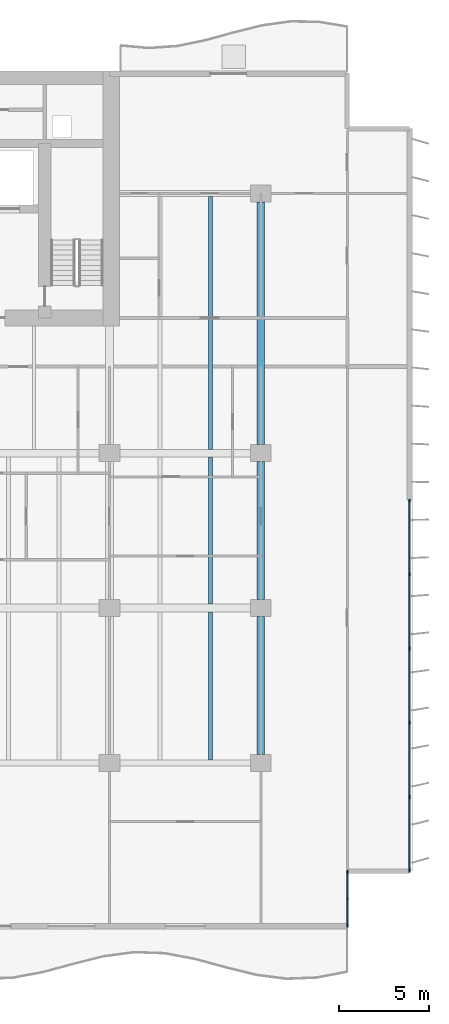
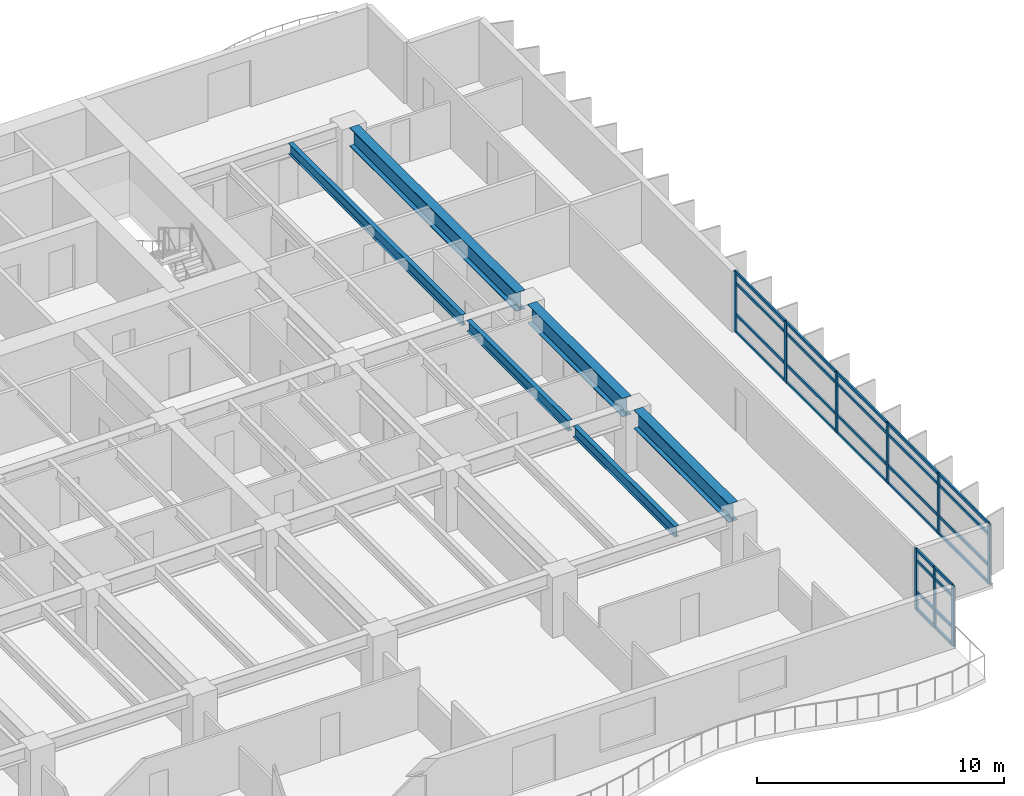
# One storey, part 4 of 15: 37 members, 6 beams, 2 elements without a shape of their own.
"""IFC4 building model written with IfcOpenShell, lengths in metres."""

from ifc_helpers import new_model, si_unit, direction, frame, origin, origin_2d, place, context, subcontext, project, spatial, rectangle, i_section, extrude, material, layer, layer_set, material_profile, profile_set, type_object, element, aggregate, save


model = new_model("IFC4")

# Units and contexts
model_context = context("Model", 3, precision=1e-05, world=origin(), true_north=direction((0.0, 1.0)))
body_context = subcontext(model_context, "Body", "Model", "MODEL_VIEW")
ifc_project = project(units=[si_unit("LENGTHUNIT", "METRE"), si_unit("AREAUNIT", "SQUARE_METRE"), si_unit("VOLUMEUNIT", "CUBIC_METRE"), si_unit("PLANEANGLEUNIT", "RADIAN"), si_unit("MASSUNIT", "GRAM", prefix="KILO")], contexts=[model_context])

# Site, building, storey
site_placement = place(None, origin())
site = spatial("IfcSite", under=ifc_project, at=site_placement, CompositionType="ELEMENT")
building_placement = place(site_placement, origin())
building = spatial("IfcBuilding", under=site, at=building_placement, Name="Caelmar Bay Residences", CompositionType="ELEMENT")
storey_placement = place(building_placement, frame((0.0, 0.0, 76.199951171875)))
storey = spatial("IfcBuildingStorey", under=building, at=storey_placement, Name="L20", CompositionType="ELEMENT", Elevation=76.199951171875)

# Beams
ifc_material_1 = material(Name="Steel ASTM A992 Grade 50", Category="steel")
ifc_material_profile_1 = material_profile(ifc_material_1, i_section(OverallWidth=0.422119140625, OverallDepth=0.925048828125, WebThickness=0.021240234375, FlangeThickness=0.03662109375, FilletRadius=0.020263671875, at=origin_2d()), Name="W36X262")
ifc_profile_set_1 = profile_set([ifc_material_profile_1], Name="Steel ASTM A992 Grade 50")
beam_type_1 = type_object("IfcBeamType", Name="BM-GRD-W36X262", PredefinedType="BEAM", material=ifc_profile_set_1)
beam_1_placement = place(storey_placement, frame((67.89990234375, 12.6650390625, 2.53759765625), z_axis=(0.0, 1.0, 0.0), x_axis=(-1.0, 0.0, 0.0)))
element("IfcBeam", 1, at=beam_1_placement, inside=storey, type_object=beam_type_1, Name="L20 North-South Girder X=67.90 (12.2-20.8)", PredefinedType="BEAM", context=body_context, shape_type="SweptSolid", body=[
    extrude(i_section(OverallWidth=0.422119140625, OverallDepth=0.925048828125, WebThickness=0.021240234375, FlangeThickness=0.03662109375, FilletRadius=0.020263671875, at=origin_2d()), origin(), (0.0, 0.0, 1.0), 7.669921875),
])
beam_2_placement = place(storey_placement, frame((67.89990234375, 21.264892578125, 2.53759765625), z_axis=(0.0, 1.0, 0.0), x_axis=(-1.0, 0.0, 0.0)))
element("IfcBeam", 2, at=beam_2_placement, inside=storey, type_object=beam_type_1, Name="L20 North-South Girder X=67.90 (20.8-29.4)", PredefinedType="BEAM", context=body_context, shape_type="SweptSolid", body=[
    extrude(i_section(OverallWidth=0.422119140625, OverallDepth=0.925048828125, WebThickness=0.021240234375, FlangeThickness=0.03662109375, FilletRadius=0.020263671875, at=origin_2d()), origin(), (0.0, 0.0, 1.0), 7.670166015625),
])
beam_3_placement = place(storey_placement, frame((67.89990234375, 29.864990234375, 2.53759765625), z_axis=(0.0, 1.0, 0.0), x_axis=(-1.0, 0.0, 0.0)))
element("IfcBeam", 3, at=beam_3_placement, inside=storey, type_object=beam_type_1, Name="L20 North-South Girder X=67.90 (29.4-43.8)", PredefinedType="BEAM", context=body_context, shape_type="SweptSolid", body=[
    extrude(i_section(OverallWidth=0.422119140625, OverallDepth=0.925048828125, WebThickness=0.021240234375, FlangeThickness=0.03662109375, FilletRadius=0.020263671875, at=origin_2d()), origin(), (0.0, 0.0, 1.0), 13.469970703125),
])
ifc_material_profile_2 = material_profile(ifc_material_1, i_section(OverallWidth=0.2099609375, OverallDepth=0.535888671875, WebThickness=0.010986328125, FlangeThickness=0.017333984375, FilletRadius=0.0126953125, at=origin_2d()), Name="W21X68")
ifc_profile_set_2 = profile_set([ifc_material_profile_2], Name="Steel ASTM A992 Grade 50")
beam_type_2 = type_object("IfcBeamType", Name="BM-JST-W21X68", PredefinedType="JOIST", material=ifc_profile_set_2)
beam_4_placement = place(storey_placement, frame((65.10009765625, 12.3779296875, 2.73193359375), z_axis=(0.0, 1.0, 0.0), x_axis=(-1.0, 0.0, 0.0)))
element("IfcBeam", 4, at=beam_4_placement, inside=storey, type_object=beam_type_2, Name="L20 Composite Floor Joist 14", PredefinedType="JOIST", context=body_context, shape_type="SweptSolid", body=[
    extrude(i_section(OverallWidth=0.2099609375, OverallDepth=0.535888671875, WebThickness=0.010986328125, FlangeThickness=0.017333984375, FilletRadius=0.0126953125, at=origin_2d()), origin(), (0.0, 0.0, 1.0), 8.211181640625),
])
beam_5_placement = place(storey_placement, frame((65.10009765625, 21.010986328125, 2.73193359375), z_axis=(0.0, 1.0, 0.0), x_axis=(-1.0, 0.0, 0.0)))
element("IfcBeam", 5, at=beam_5_placement, inside=storey, type_object=beam_type_2, Name="L20 Composite Floor Joist 28", PredefinedType="JOIST", context=body_context, shape_type="SweptSolid", body=[
    extrude(i_section(OverallWidth=0.2099609375, OverallDepth=0.535888671875, WebThickness=0.010986328125, FlangeThickness=0.017333984375, FilletRadius=0.0126953125, at=origin_2d()), origin(), (0.0, 0.0, 1.0), 8.177978515625),
])
beam_6_placement = place(storey_placement, frame((65.10009765625, 29.611083984375, 2.73193359375), z_axis=(0.0, 1.0, 0.0), x_axis=(-1.0, 0.0, 0.0)))
element("IfcBeam", 6, at=beam_6_placement, inside=storey, type_object=beam_type_2, Name="L20 Composite Floor Joist 37", PredefinedType="JOIST", context=body_context, shape_type="SweptSolid", body=[
    extrude(i_section(OverallWidth=0.2099609375, OverallDepth=0.535888671875, WebThickness=0.010986328125, FlangeThickness=0.017333984375, FilletRadius=0.0126953125, at=origin_2d()), origin(), (0.0, 0.0, 1.0), 14.010986328125),
])

# Curtain wall, members
ifc_material_2 = material(Name="Anodised bronze aluminium 6063-T6 and laminated glass", Category="aluminium")
ifc_layer_1 = layer(ifc_material_2, 0.179931640625)
ifc_layer_set_1 = layer_set([ifc_layer_1], Name="Anodised bronze aluminium 6063-T6 and laminated glass")
curtain_wall_type_1 = type_object("IfcCurtainWallType", Name="CW6-NTC", PredefinedType="NOTDEFINED", material=ifc_layer_set_1)
curtain_wall_1_placement = place(storey_placement, origin())
curtain_wall_1 = element("IfcCurtainWall", 7, at=curtain_wall_1_placement, inside=storey, type_object=curtain_wall_type_1, Name="CW6 curtain wall L20", PredefinedType="NOTDEFINED")
ifc_material_3 = material(Name="Anodised bronze aluminium 6063-T6", Category="aluminium")
ifc_material_profile_3 = material_profile(ifc_material_3, rectangle(XDim=0.080078125, YDim=0.179931640625, at=origin_2d()), Name="CWM-80X180")
ifc_profile_set_3 = profile_set([ifc_material_profile_3], Name="Anodised bronze aluminium 6063-T6")
member_type_1 = type_object("IfcMemberType", Name="CWM-180", PredefinedType="MULLION", material=ifc_profile_set_3)
member_1_placement = place(storey_placement, frame((72.699951171875, 3.18994140625, 0.0), z_axis=(0.0, 0.0, 1.0), x_axis=(-1.0, 0.0, 0.0)))
member_1 = element("IfcMember", 8, at=member_1_placement, type_object=member_type_1, Name="CW6 mullion 1", PredefinedType="MULLION", context=body_context, shape_type="SweptSolid", body=[
    extrude(rectangle(XDim=0.080078125, YDim=0.179931640625, at=origin_2d()), origin(), (0.0, 0.0, 1.0), 3.0),
])
member_2_placement = place(storey_placement, frame((72.699951171875, 4.675048828125, 0.0), z_axis=(0.0, 0.0, 1.0), x_axis=(-1.0, 0.0, 0.0)))
member_2 = element("IfcMember", 9, at=member_2_placement, type_object=member_type_1, Name="CW6 mullion 2", PredefinedType="MULLION", context=body_context, shape_type="SweptSolid", body=[
    extrude(rectangle(XDim=0.080078125, YDim=0.179931640625, at=origin_2d()), origin(), (0.0, 0.0, 1.0), 3.0),
])
member_3_placement = place(storey_placement, frame((72.699951171875, 6.159912109375, 0.0), z_axis=(0.0, 0.0, 1.0), x_axis=(-1.0, 0.0, 0.0)))
member_3 = element("IfcMember", 10, at=member_3_placement, type_object=member_type_1, Name="CW6 mullion 3", PredefinedType="MULLION", context=body_context, shape_type="SweptSolid", body=[
    extrude(rectangle(XDim=0.080078125, YDim=0.179931640625, at=origin_2d()), origin(), (0.0, 0.0, 1.0), 3.0),
])

ifc_layer_2 = layer(ifc_material_2, 0.179931640625)
ifc_layer_set_2 = layer_set([ifc_layer_2], Name="Anodised bronze aluminium 6063-T6 and laminated glass")
curtain_wall_type_2 = type_object("IfcCurtainWallType", Name="CW2-Z1", PredefinedType="NOTDEFINED", material=ifc_layer_set_2)
curtain_wall_2_placement = place(storey_placement, origin())
curtain_wall_2 = element("IfcCurtainWall", 11, at=curtain_wall_2_placement, inside=storey, type_object=curtain_wall_type_2, Name="CW2 curtain wall L20", PredefinedType="NOTDEFINED")
member_4_placement = place(storey_placement, frame((76.14990234375, 26.760009765625, 0.0), z_axis=(0.0, 0.0, 1.0), x_axis=(1.0, 0.0, 0.0)))
member_4 = element("IfcMember", 12, at=member_4_placement, type_object=member_type_1, Name="CW2 mullion 1", PredefinedType="MULLION", context=body_context, shape_type="SweptSolid", body=[
    extrude(rectangle(XDim=0.080078125, YDim=0.179931640625, at=origin_2d()), origin(), (0.0, 0.0, 1.0), 3.0),
])
member_5_placement = place(storey_placement, frame((76.14990234375, 22.679931640625, 0.0), z_axis=(0.0, 0.0, 1.0), x_axis=(1.0, 0.0, 0.0)))
member_5 = element("IfcMember", 13, at=member_5_placement, type_object=member_type_1, Name="CW2 mullion 2", PredefinedType="MULLION", context=body_context, shape_type="SweptSolid", body=[
    extrude(rectangle(XDim=0.080078125, YDim=0.179931640625, at=origin_2d()), origin(), (0.0, 0.0, 1.0), 3.0),
])
member_6_placement = place(storey_placement, frame((76.14990234375, 18.56005859375, 0.0), z_axis=(0.0, 0.0, 1.0), x_axis=(1.0, 0.0, 0.0)))
member_6 = element("IfcMember", 14, at=member_6_placement, type_object=member_type_1, Name="CW2 mullion 3", PredefinedType="MULLION", context=body_context, shape_type="SweptSolid", body=[
    extrude(rectangle(XDim=0.080078125, YDim=0.179931640625, at=origin_2d()), origin(), (0.0, 0.0, 1.0), 3.0),
])
member_7_placement = place(storey_placement, frame((76.14990234375, 14.43994140625, 0.0), z_axis=(0.0, 0.0, 1.0), x_axis=(1.0, 0.0, 0.0)))
member_7 = element("IfcMember", 15, at=member_7_placement, type_object=member_type_1, Name="CW2 mullion 4", PredefinedType="MULLION", context=body_context, shape_type="SweptSolid", body=[
    extrude(rectangle(XDim=0.080078125, YDim=0.179931640625, at=origin_2d()), origin(), (0.0, 0.0, 1.0), 3.0),
])
member_8_placement = place(storey_placement, frame((76.14990234375, 10.320068359375, 0.0), z_axis=(0.0, 0.0, 1.0), x_axis=(1.0, 0.0, 0.0)))
member_8 = element("IfcMember", 16, at=member_8_placement, type_object=member_type_1, Name="CW2 mullion 5", PredefinedType="MULLION", context=body_context, shape_type="SweptSolid", body=[
    extrude(rectangle(XDim=0.080078125, YDim=0.179931640625, at=origin_2d()), origin(), (0.0, 0.0, 1.0), 3.0),
])
member_9_placement = place(storey_placement, frame((76.14990234375, 6.239990234375, 0.0), z_axis=(0.0, 0.0, 1.0), x_axis=(1.0, 0.0, 0.0)))
member_9 = element("IfcMember", 17, at=member_9_placement, type_object=member_type_1, Name="CW2 mullion 6", PredefinedType="MULLION", context=body_context, shape_type="SweptSolid", body=[
    extrude(rectangle(XDim=0.080078125, YDim=0.179931640625, at=origin_2d()), origin(), (0.0, 0.0, 1.0), 3.0),
])

# Member
ifc_material_profile_4 = material_profile(ifc_material_3, rectangle(XDim=0.080078125, YDim=0.139892578125, at=origin_2d()), Name="CWT-80X140")
ifc_profile_set_4 = profile_set([ifc_material_profile_4], Name="Anodised bronze aluminium 6063-T6")
member_type_2 = type_object("IfcMemberType", Name="CWT-140", PredefinedType="NOTDEFINED", material=ifc_profile_set_4)
member_10_placement = place(storey_placement, frame((72.699951171875, 3.22998046875, 0.0400390625), z_axis=(0.0, 1.0, 0.0), x_axis=(-1.0, 0.0, 0.0)))
member_10 = element("IfcMember", 18, at=member_10_placement, type_object=member_type_2, Name="CW6 transom 1.1", ObjectType="TRANSOM", PredefinedType="USERDEFINED", context=body_context, shape_type="SweptSolid", body=[
    extrude(rectangle(XDim=0.080078125, YDim=0.139892578125, at=origin_2d()), origin(), (0.0, 0.0, 1.0), 1.405029296875),
])

member_11_placement = place(storey_placement, frame((72.699951171875, 3.22998046875, 0.900146484375), z_axis=(0.0, 1.0, 0.0), x_axis=(-1.0, 0.0, 0.0)))
member_11 = element("IfcMember", 19, at=member_11_placement, type_object=member_type_2, Name="CW6 transom 1.2", ObjectType="TRANSOM", PredefinedType="USERDEFINED", context=body_context, shape_type="SweptSolid", body=[
    extrude(rectangle(XDim=0.080078125, YDim=0.139892578125, at=origin_2d()), origin(), (0.0, 0.0, 1.0), 1.405029296875),
])

member_12_placement = place(storey_placement, frame((72.699951171875, 3.22998046875, 2.449951171875), z_axis=(0.0, 1.0, 0.0), x_axis=(-1.0, 0.0, 0.0)))
member_12 = element("IfcMember", 20, at=member_12_placement, type_object=member_type_2, Name="CW6 transom 1.3", ObjectType="TRANSOM", PredefinedType="USERDEFINED", context=body_context, shape_type="SweptSolid", body=[
    extrude(rectangle(XDim=0.080078125, YDim=0.139892578125, at=origin_2d()), origin(), (0.0, 0.0, 1.0), 1.405029296875),
])

member_13_placement = place(storey_placement, frame((72.699951171875, 3.22998046875, 2.9599609375), z_axis=(0.0, 1.0, 0.0), x_axis=(-1.0, 0.0, 0.0)))
member_13 = element("IfcMember", 21, at=member_13_placement, type_object=member_type_2, Name="CW6 transom 1.4", ObjectType="TRANSOM", PredefinedType="USERDEFINED", context=body_context, shape_type="SweptSolid", body=[
    extrude(rectangle(XDim=0.080078125, YDim=0.139892578125, at=origin_2d()), origin(), (0.0, 0.0, 1.0), 1.405029296875),
])

member_14_placement = place(storey_placement, frame((72.699951171875, 4.715087890625, 0.0400390625), z_axis=(0.0, 1.0, 0.0), x_axis=(-1.0, 0.0, 0.0)))
member_14 = element("IfcMember", 22, at=member_14_placement, type_object=member_type_2, Name="CW6 transom 2.1", ObjectType="TRANSOM", PredefinedType="USERDEFINED", context=body_context, shape_type="SweptSolid", body=[
    extrude(rectangle(XDim=0.080078125, YDim=0.139892578125, at=origin_2d()), origin(), (0.0, 0.0, 1.0), 1.405029296875),
])

member_15_placement = place(storey_placement, frame((72.699951171875, 4.715087890625, 0.900146484375), z_axis=(0.0, 1.0, 0.0), x_axis=(-1.0, 0.0, 0.0)))
member_15 = element("IfcMember", 23, at=member_15_placement, type_object=member_type_2, Name="CW6 transom 2.2", ObjectType="TRANSOM", PredefinedType="USERDEFINED", context=body_context, shape_type="SweptSolid", body=[
    extrude(rectangle(XDim=0.080078125, YDim=0.139892578125, at=origin_2d()), origin(), (0.0, 0.0, 1.0), 1.405029296875),
])

member_16_placement = place(storey_placement, frame((72.699951171875, 4.715087890625, 2.449951171875), z_axis=(0.0, 1.0, 0.0), x_axis=(-1.0, 0.0, 0.0)))
member_16 = element("IfcMember", 24, at=member_16_placement, type_object=member_type_2, Name="CW6 transom 2.3", ObjectType="TRANSOM", PredefinedType="USERDEFINED", context=body_context, shape_type="SweptSolid", body=[
    extrude(rectangle(XDim=0.080078125, YDim=0.139892578125, at=origin_2d()), origin(), (0.0, 0.0, 1.0), 1.405029296875),
])

member_17_placement = place(storey_placement, frame((72.699951171875, 4.715087890625, 2.9599609375), z_axis=(0.0, 1.0, 0.0), x_axis=(-1.0, 0.0, 0.0)))
member_17 = element("IfcMember", 25, at=member_17_placement, type_object=member_type_2, Name="CW6 transom 2.4", ObjectType="TRANSOM", PredefinedType="USERDEFINED", context=body_context, shape_type="SweptSolid", body=[
    extrude(rectangle(XDim=0.080078125, YDim=0.139892578125, at=origin_2d()), origin(), (0.0, 0.0, 1.0), 1.405029296875),
])

aggregate(curtain_wall_1, [member_1, member_2, member_3, member_10, member_11, member_12, member_13, member_14, member_15, member_16, member_17])

member_18_placement = place(storey_placement, frame((76.14990234375, 26.719970703125, 0.0400390625), z_axis=(0.0, -1.0, 0.0), x_axis=(1.0, 0.0, 0.0)))
member_18 = element("IfcMember", 26, at=member_18_placement, type_object=member_type_2, Name="CW2 transom 1.1", ObjectType="TRANSOM", PredefinedType="USERDEFINED", context=body_context, shape_type="SweptSolid", body=[
    extrude(rectangle(XDim=0.080078125, YDim=0.139892578125, at=origin_2d()), origin(), (0.0, 0.0, 1.0), 4.0),
])

member_19_placement = place(storey_placement, frame((76.14990234375, 26.719970703125, 0.900146484375), z_axis=(0.0, -1.0, 0.0), x_axis=(1.0, 0.0, 0.0)))
member_19 = element("IfcMember", 27, at=member_19_placement, type_object=member_type_2, Name="CW2 transom 1.2", ObjectType="TRANSOM", PredefinedType="USERDEFINED", context=body_context, shape_type="SweptSolid", body=[
    extrude(rectangle(XDim=0.080078125, YDim=0.139892578125, at=origin_2d()), origin(), (0.0, 0.0, 1.0), 4.0),
])

member_20_placement = place(storey_placement, frame((76.14990234375, 26.719970703125, 2.449951171875), z_axis=(0.0, -1.0, 0.0), x_axis=(1.0, 0.0, 0.0)))
member_20 = element("IfcMember", 28, at=member_20_placement, type_object=member_type_2, Name="CW2 transom 1.3", ObjectType="TRANSOM", PredefinedType="USERDEFINED", context=body_context, shape_type="SweptSolid", body=[
    extrude(rectangle(XDim=0.080078125, YDim=0.139892578125, at=origin_2d()), origin(), (0.0, 0.0, 1.0), 4.0),
])

member_21_placement = place(storey_placement, frame((76.14990234375, 26.719970703125, 2.9599609375), z_axis=(0.0, -1.0, 0.0), x_axis=(1.0, 0.0, 0.0)))
member_21 = element("IfcMember", 29, at=member_21_placement, type_object=member_type_2, Name="CW2 transom 1.4", ObjectType="TRANSOM", PredefinedType="USERDEFINED", context=body_context, shape_type="SweptSolid", body=[
    extrude(rectangle(XDim=0.080078125, YDim=0.139892578125, at=origin_2d()), origin(), (0.0, 0.0, 1.0), 4.0),
])

member_22_placement = place(storey_placement, frame((76.14990234375, 22.639892578125, 0.0400390625), z_axis=(0.0, -1.0, 0.0), x_axis=(1.0, 0.0, 0.0)))
member_22 = element("IfcMember", 30, at=member_22_placement, type_object=member_type_2, Name="CW2 transom 2.1", ObjectType="TRANSOM", PredefinedType="USERDEFINED", context=body_context, shape_type="SweptSolid", body=[
    extrude(rectangle(XDim=0.080078125, YDim=0.139892578125, at=origin_2d()), origin(), (0.0, 0.0, 1.0), 4.039794921875),
])

member_23_placement = place(storey_placement, frame((76.14990234375, 22.639892578125, 0.900146484375), z_axis=(0.0, -1.0, 0.0), x_axis=(1.0, 0.0, 0.0)))
member_23 = element("IfcMember", 31, at=member_23_placement, type_object=member_type_2, Name="CW2 transom 2.2", ObjectType="TRANSOM", PredefinedType="USERDEFINED", context=body_context, shape_type="SweptSolid", body=[
    extrude(rectangle(XDim=0.080078125, YDim=0.139892578125, at=origin_2d()), origin(), (0.0, 0.0, 1.0), 4.039794921875),
])

member_24_placement = place(storey_placement, frame((76.14990234375, 22.639892578125, 2.449951171875), z_axis=(0.0, -1.0, 0.0), x_axis=(1.0, 0.0, 0.0)))
member_24 = element("IfcMember", 32, at=member_24_placement, type_object=member_type_2, Name="CW2 transom 2.3", ObjectType="TRANSOM", PredefinedType="USERDEFINED", context=body_context, shape_type="SweptSolid", body=[
    extrude(rectangle(XDim=0.080078125, YDim=0.139892578125, at=origin_2d()), origin(), (0.0, 0.0, 1.0), 4.039794921875),
])

member_25_placement = place(storey_placement, frame((76.14990234375, 22.639892578125, 2.9599609375), z_axis=(0.0, -1.0, 0.0), x_axis=(1.0, 0.0, 0.0)))
member_25 = element("IfcMember", 33, at=member_25_placement, type_object=member_type_2, Name="CW2 transom 2.4", ObjectType="TRANSOM", PredefinedType="USERDEFINED", context=body_context, shape_type="SweptSolid", body=[
    extrude(rectangle(XDim=0.080078125, YDim=0.139892578125, at=origin_2d()), origin(), (0.0, 0.0, 1.0), 4.039794921875),
])

member_26_placement = place(storey_placement, frame((76.14990234375, 18.52001953125, 0.0400390625), z_axis=(0.0, -1.0, 0.0), x_axis=(1.0, 0.0, 0.0)))
member_26 = element("IfcMember", 34, at=member_26_placement, type_object=member_type_2, Name="CW2 transom 3.1", ObjectType="TRANSOM", PredefinedType="USERDEFINED", context=body_context, shape_type="SweptSolid", body=[
    extrude(rectangle(XDim=0.080078125, YDim=0.139892578125, at=origin_2d()), origin(), (0.0, 0.0, 1.0), 4.0400390625),
])

member_27_placement = place(storey_placement, frame((76.14990234375, 18.52001953125, 0.900146484375), z_axis=(0.0, -1.0, 0.0), x_axis=(1.0, 0.0, 0.0)))
member_27 = element("IfcMember", 35, at=member_27_placement, type_object=member_type_2, Name="CW2 transom 3.2", ObjectType="TRANSOM", PredefinedType="USERDEFINED", context=body_context, shape_type="SweptSolid", body=[
    extrude(rectangle(XDim=0.080078125, YDim=0.139892578125, at=origin_2d()), origin(), (0.0, 0.0, 1.0), 4.0400390625),
])

member_28_placement = place(storey_placement, frame((76.14990234375, 18.52001953125, 2.449951171875), z_axis=(0.0, -1.0, 0.0), x_axis=(1.0, 0.0, 0.0)))
member_28 = element("IfcMember", 36, at=member_28_placement, type_object=member_type_2, Name="CW2 transom 3.3", ObjectType="TRANSOM", PredefinedType="USERDEFINED", context=body_context, shape_type="SweptSolid", body=[
    extrude(rectangle(XDim=0.080078125, YDim=0.139892578125, at=origin_2d()), origin(), (0.0, 0.0, 1.0), 4.0400390625),
])

member_29_placement = place(storey_placement, frame((76.14990234375, 18.52001953125, 2.9599609375), z_axis=(0.0, -1.0, 0.0), x_axis=(1.0, 0.0, 0.0)))
member_29 = element("IfcMember", 37, at=member_29_placement, type_object=member_type_2, Name="CW2 transom 3.4", ObjectType="TRANSOM", PredefinedType="USERDEFINED", context=body_context, shape_type="SweptSolid", body=[
    extrude(rectangle(XDim=0.080078125, YDim=0.139892578125, at=origin_2d()), origin(), (0.0, 0.0, 1.0), 4.0400390625),
])

member_30_placement = place(storey_placement, frame((76.14990234375, 14.39990234375, 0.0400390625), z_axis=(0.0, -1.0, 0.0), x_axis=(1.0, 0.0, 0.0)))
member_30 = element("IfcMember", 38, at=member_30_placement, type_object=member_type_2, Name="CW2 transom 4.1", ObjectType="TRANSOM", PredefinedType="USERDEFINED", context=body_context, shape_type="SweptSolid", body=[
    extrude(rectangle(XDim=0.080078125, YDim=0.139892578125, at=origin_2d()), origin(), (0.0, 0.0, 1.0), 4.039794921875),
])

member_31_placement = place(storey_placement, frame((76.14990234375, 14.39990234375, 0.900146484375), z_axis=(0.0, -1.0, 0.0), x_axis=(1.0, 0.0, 0.0)))
member_31 = element("IfcMember", 39, at=member_31_placement, type_object=member_type_2, Name="CW2 transom 4.2", ObjectType="TRANSOM", PredefinedType="USERDEFINED", context=body_context, shape_type="SweptSolid", body=[
    extrude(rectangle(XDim=0.080078125, YDim=0.139892578125, at=origin_2d()), origin(), (0.0, 0.0, 1.0), 4.039794921875),
])

member_32_placement = place(storey_placement, frame((76.14990234375, 14.39990234375, 2.449951171875), z_axis=(0.0, -1.0, 0.0), x_axis=(1.0, 0.0, 0.0)))
member_32 = element("IfcMember", 40, at=member_32_placement, type_object=member_type_2, Name="CW2 transom 4.3", ObjectType="TRANSOM", PredefinedType="USERDEFINED", context=body_context, shape_type="SweptSolid", body=[
    extrude(rectangle(XDim=0.080078125, YDim=0.139892578125, at=origin_2d()), origin(), (0.0, 0.0, 1.0), 4.039794921875),
])

member_33_placement = place(storey_placement, frame((76.14990234375, 14.39990234375, 2.9599609375), z_axis=(0.0, -1.0, 0.0), x_axis=(1.0, 0.0, 0.0)))
member_33 = element("IfcMember", 41, at=member_33_placement, type_object=member_type_2, Name="CW2 transom 4.4", ObjectType="TRANSOM", PredefinedType="USERDEFINED", context=body_context, shape_type="SweptSolid", body=[
    extrude(rectangle(XDim=0.080078125, YDim=0.139892578125, at=origin_2d()), origin(), (0.0, 0.0, 1.0), 4.039794921875),
])

member_34_placement = place(storey_placement, frame((76.14990234375, 10.280029296875, 0.0400390625), z_axis=(0.0, -1.0, 0.0), x_axis=(1.0, 0.0, 0.0)))
member_34 = element("IfcMember", 42, at=member_34_placement, type_object=member_type_2, Name="CW2 transom 5.1", ObjectType="TRANSOM", PredefinedType="USERDEFINED", context=body_context, shape_type="SweptSolid", body=[
    extrude(rectangle(XDim=0.080078125, YDim=0.139892578125, at=origin_2d()), origin(), (0.0, 0.0, 1.0), 4.0),
])

member_35_placement = place(storey_placement, frame((76.14990234375, 10.280029296875, 0.900146484375), z_axis=(0.0, -1.0, 0.0), x_axis=(1.0, 0.0, 0.0)))
member_35 = element("IfcMember", 43, at=member_35_placement, type_object=member_type_2, Name="CW2 transom 5.2", ObjectType="TRANSOM", PredefinedType="USERDEFINED", context=body_context, shape_type="SweptSolid", body=[
    extrude(rectangle(XDim=0.080078125, YDim=0.139892578125, at=origin_2d()), origin(), (0.0, 0.0, 1.0), 4.0),
])

member_36_placement = place(storey_placement, frame((76.14990234375, 10.280029296875, 2.449951171875), z_axis=(0.0, -1.0, 0.0), x_axis=(1.0, 0.0, 0.0)))
member_36 = element("IfcMember", 44, at=member_36_placement, type_object=member_type_2, Name="CW2 transom 5.3", ObjectType="TRANSOM", PredefinedType="USERDEFINED", context=body_context, shape_type="SweptSolid", body=[
    extrude(rectangle(XDim=0.080078125, YDim=0.139892578125, at=origin_2d()), origin(), (0.0, 0.0, 1.0), 4.0),
])

member_37_placement = place(storey_placement, frame((76.14990234375, 10.280029296875, 2.9599609375), z_axis=(0.0, -1.0, 0.0), x_axis=(1.0, 0.0, 0.0)))
member_37 = element("IfcMember", 45, at=member_37_placement, type_object=member_type_2, Name="CW2 transom 5.4", ObjectType="TRANSOM", PredefinedType="USERDEFINED", context=body_context, shape_type="SweptSolid", body=[
    extrude(rectangle(XDim=0.080078125, YDim=0.139892578125, at=origin_2d()), origin(), (0.0, 0.0, 1.0), 4.0),
])

aggregate(curtain_wall_2, [member_4, member_5, member_6, member_7, member_8, member_9, member_18, member_19, member_20, member_21, member_22, member_23, member_24, member_25, member_26, member_27, member_28, member_29, member_30, member_31, member_32, member_33, member_34, member_35, member_36, member_37])

save(model, "model.ifc")
